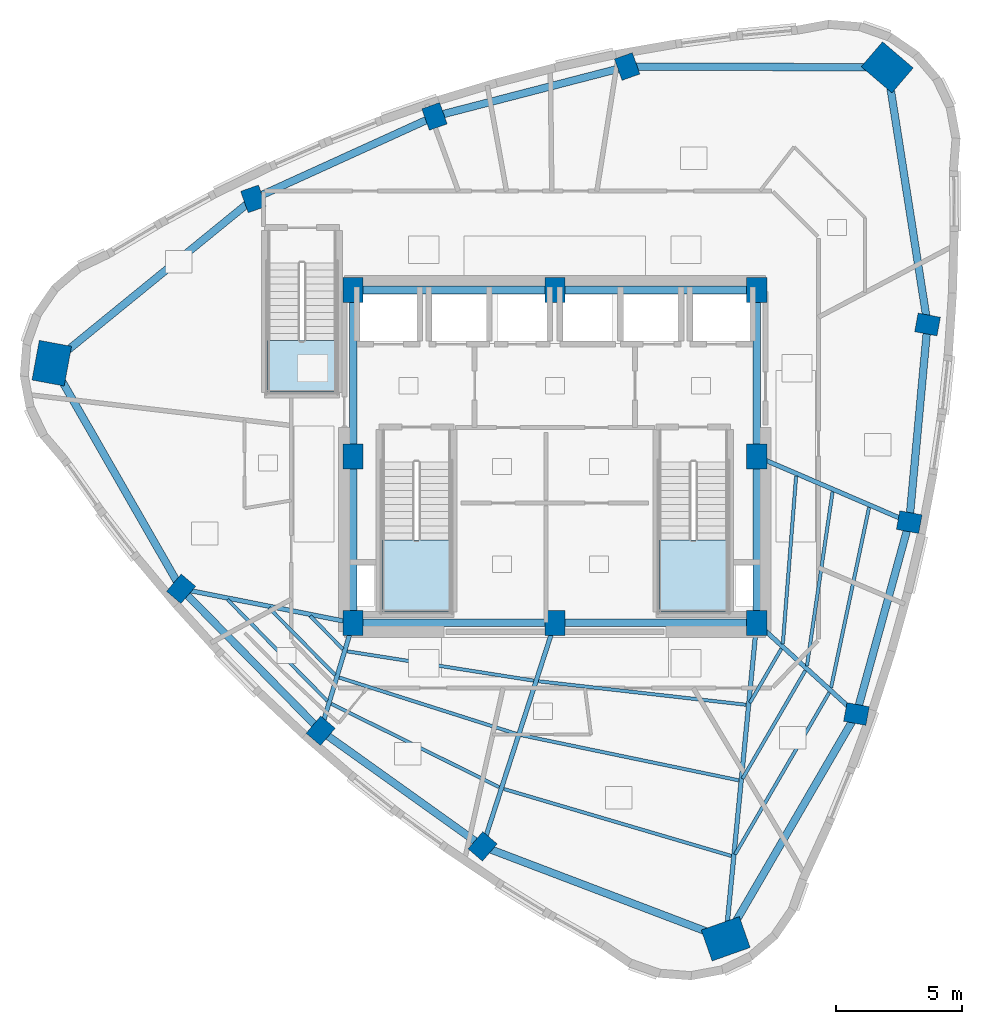
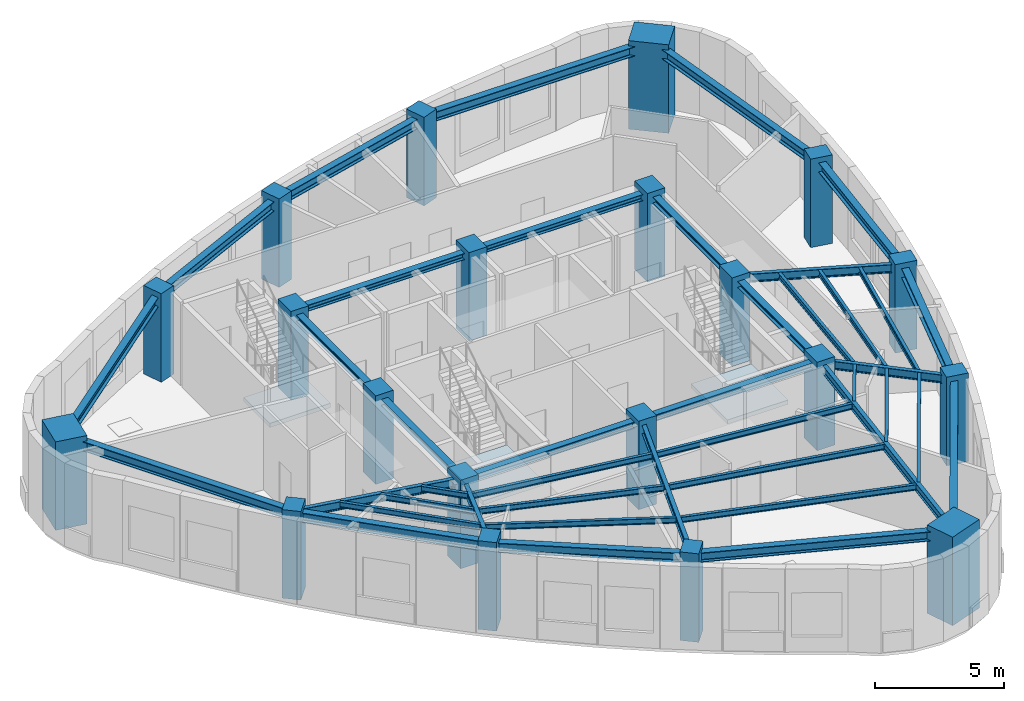
# One storey, part 1 of 9: 41 beams, 20 columns, 3 slabs, 3 elements without a shape of their own.
"""IFC4 building model written with IfcOpenShell, lengths in metres."""

from ifc_helpers import new_model, si_unit, direction, frame, origin, origin_2d, place, context, subcontext, project, spatial, polyline, rectangle, i_section, outline, extrude, material, layer, layer_set, material_profile, profile_set, type_object, element, aggregate, save


model = new_model("IFC4")

# Units and contexts
model_context = context("Model", 3, precision=1e-05, world=origin(), true_north=direction((0.0, 1.0)))
body_context = subcontext(model_context, "Body", "Model", "MODEL_VIEW")
ifc_project = project(units=[si_unit("LENGTHUNIT", "METRE"), si_unit("AREAUNIT", "SQUARE_METRE"), si_unit("VOLUMEUNIT", "CUBIC_METRE"), si_unit("PLANEANGLEUNIT", "RADIAN"), si_unit("MASSUNIT", "GRAM", prefix="KILO")], contexts=[model_context])

# Site, building, storey
site_placement = place(None, origin())
site = spatial("IfcSite", under=ifc_project, at=site_placement, CompositionType="ELEMENT")
building_placement = place(site_placement, origin())
building = spatial("IfcBuilding", under=site, at=building_placement, Name="Ndelora Gate Hotel", CompositionType="ELEMENT")
storey_placement = place(building_placement, frame((0.0, 0.0, 268.60009765625)))
storey = spatial("IfcBuildingStorey", under=building, at=storey_placement, Name="L67", CompositionType="ELEMENT", Elevation=268.60009765625)

# Columns
ifc_material_1 = material(Name="Concrete C50/60", Category="concrete")
ifc_material_profile_1 = material_profile(ifc_material_1, rectangle(XDim=0.800048828125, YDim=1.0, at=origin_2d()), Name="RC 1000x800")
ifc_profile_set_1 = profile_set([ifc_material_profile_1], Name="Concrete C50/60")
column_type_1 = type_object("IfcColumnType", Name="COL-CC-HI", PredefinedType="COLUMN", material=ifc_profile_set_1)
for number, where, z_axis, x_axis, name in (
    (1, (-8.0, -6.60009765625, 0.0), (0.0, 0.0, 1.0), (1.0, 0.0, 0.0), "L67 Core Column CC1"),
    (2, (0.0, -6.60009765625, 0.0), (0.0, 0.0, 1.0), (1.0, 0.0, 0.0), "L67 Core Column CC2"),
    (3, (8.0, -6.60009765625, 0.0), (0.0, 0.0, 1.0), (1.0, 0.0, 0.0), "L67 Core Column CC3"),
    (4, (8.0, 0.0, 0.0), (0.0, 0.0, 1.0), (1.0, 0.0, 0.0), "L67 Core Column CC4"),
    (5, (8.0, 6.60009765625, 0.0), (0.0, 0.0, 1.0), (1.0, 0.0, 0.0), "L67 Core Column CC5"),
    (6, (0.0, 6.60009765625, 0.0), (0.0, 0.0, 1.0), (1.0, 0.0, 0.0), "L67 Core Column CC6"),
    (7, (-8.0, 6.60009765625, 0.0), (0.0, 0.0, 1.0), (1.0, 0.0, 0.0), "L67 Core Column CC7"),
    (8, (-8.0, 0.0, 0.0), (0.0, 0.0, 1.0), (1.0, 0.0, 0.0), "L67 Core Column CC8"),
):
    element("IfcColumn", number, at=place(storey_placement, frame(where, z_axis=z_axis, x_axis=x_axis)), inside=storey, type_object=column_type_1, Name=name, PredefinedType="COLUMN", context=body_context, shape_type="SweptSolid", body=[
        extrude(rectangle(XDim=0.800048828125, YDim=1.0, at=origin_2d()), origin(), (0.0, 0.0, 1.0), 4.199951171875),
    ])
ifc_material_profile_2 = material_profile(ifc_material_1, rectangle(XDim=1.300048828125, YDim=1.60009765625, at=origin_2d()), Name="RC 1600x1300")
ifc_profile_set_2 = profile_set([ifc_material_profile_2], Name="Concrete C50/60")
column_type_2 = type_object("IfcColumnType", Name="COL-MC-Z4", PredefinedType="COLUMN", material=ifc_profile_set_2)
for number, where, z_axis, x_axis, name in (
    (9, (-19.949951171875, 3.697509765625, 0.0), (0.0, 0.0, 1.0), (-0.983254907564, 0.182235525492, 0.0), "L67 Corner Mega-Column R1"),
    (10, (6.772705078125, -19.1259765625, 0.0), (0.0, 0.0, 1.0), (-0.333806859234, 0.942641491092, 0.0), "L67 Corner Mega-Column R5"),
    (11, (13.177001953125, 15.428466796875, 0.0), (0.0, 0.0, 1.0), (0.64944804833, 0.7604059656, 0.0), "L67 Corner Mega-Column R9"),
):
    element("IfcColumn", number, at=place(storey_placement, frame(where, z_axis=z_axis, x_axis=x_axis)), inside=storey, type_object=column_type_2, Name=name, PredefinedType="COLUMN", context=body_context, shape_type="SweptSolid", body=[
        extrude(rectangle(XDim=1.300048828125, YDim=1.60009765625, at=origin_2d()), origin(), (0.0, 0.0, 1.0), 4.199951171875),
    ])
ifc_material_profile_3 = material_profile(ifc_material_1, rectangle(XDim=0.75, YDim=0.89990234375, at=origin_2d()), Name="RC 900x750")
ifc_profile_set_3 = profile_set([ifc_material_profile_3], Name="Concrete C50/60")
column_type_3 = type_object("IfcColumnType", Name="COL-PT-Z4", PredefinedType="COLUMN", material=ifc_profile_set_3)
for number, where, z_axis, x_axis, name in (
    (12, (-14.822509765625, -5.248779296875, 0.0), (0.0, 0.0, 1.0), (-0.7604059656, 0.64944804833, 0.0), "L67 Perimeter Tube Column R2"),
    (13, (-9.2890625, -10.876220703125, 0.0), (0.0, 0.0, 1.0), (-0.7604059656, 0.64944804833, 0.0), "L67 Perimeter Tube Column R3"),
    (14, (-2.865478515625, -15.461181640625, 0.0), (0.0, 0.0, 1.0), (-0.7604059656, 0.64944804833, 0.0), "L67 Perimeter Tube Column R4"),
    (15, (11.956787109375, -10.212158203125, 0.0), (0.0, 0.0, 1.0), (0.182235525492, 0.983254907564, 0.0), "L67 Perimeter Tube Column R6"),
    (16, (14.0498046875, -2.60400390625, 0.0), (0.0, 0.0, 1.0), (0.182235525492, 0.983254907564, 0.0), "L67 Perimeter Tube Column R7"),
    (17, (14.77490234375, 5.232177734375, 0.0), (0.0, 0.0, 1.0), (0.182235525492, 0.983254907564, 0.0), "L67 Perimeter Tube Column R8"),
    (18, (2.865478515625, 15.461181640625, 0.0), (0.0, 0.0, 1.0), (0.942641491092, 0.333806859234, 0.0), "L67 Perimeter Tube Column R10"),
    (19, (-4.7744140625, 13.482666015625, 0.0), (0.0, 0.0, 1.0), (0.942641491092, 0.333806859234, 0.0), "L67 Perimeter Tube Column R11"),
    (20, (-11.956787109375, 10.212158203125, 0.0), (0.0, 0.0, 1.0), (0.942641491092, 0.333806859234, 0.0), "L67 Perimeter Tube Column R12"),
):
    element("IfcColumn", number, at=place(storey_placement, frame(where, z_axis=z_axis, x_axis=x_axis)), inside=storey, type_object=column_type_3, Name=name, PredefinedType="COLUMN", context=body_context, shape_type="SweptSolid", body=[
        extrude(rectangle(XDim=0.75, YDim=0.89990234375, at=origin_2d()), origin(), (0.0, 0.0, 1.0), 4.199951171875),
    ])

# Beams
ifc_material_2 = material(Name="Steel S355", Category="steel")
ifc_material_profile_4 = material_profile(ifc_material_2, i_section(OverallWidth=0.300048828125, OverallDepth=0.300048828125, WebThickness=0.010986328125, FlangeThickness=0.01904296875, FilletRadius=0.027099609375, at=origin_2d()), Name="HEB 300")
ifc_profile_set_4 = profile_set([ifc_material_profile_4], Name="Steel S355")
beam_type_1 = type_object("IfcBeamType", Name="BM-CORE-300", PredefinedType="BEAM", material=ifc_profile_set_4)
for number, where, z_axis, x_axis, name in (
    (21, (-8.0, 6.60009765625, 3.7998046875), (1.0, 0.0, 0.0), (0.0, 1.0, 0.0), "L67 Core Tie Girder CC7-CC6"),
    (22, (0.0, 6.60009765625, 3.7998046875), (1.0, 0.0, 0.0), (0.0, 1.0, 0.0), "L67 Core Tie Girder CC6-CC5"),
):
    element("IfcBeam", number, at=place(storey_placement, frame(where, z_axis=z_axis, x_axis=x_axis)), inside=storey, type_object=beam_type_1, Name=name, PredefinedType="BEAM", context=body_context, shape_type="SweptSolid", body=[
        extrude(i_section(OverallWidth=0.300048828125, OverallDepth=0.300048828125, WebThickness=0.010986328125, FlangeThickness=0.01904296875, FilletRadius=0.027099609375, at=origin_2d()), origin(), (0.0, 0.0, 1.0), 8.0),
    ])
for number, where, z_axis, x_axis, name in (
    (23, (-8.0, -6.60009765625, 3.7998046875), (0.0, 1.0, 0.0), (-1.0, 0.0, 0.0), "L67 Core Tie Girder CC1-CC8"),
    (24, (-8.0, 0.0, 3.7998046875), (0.0, 1.0, 0.0), (-1.0, 0.0, 0.0), "L67 Core Tie Girder CC8-CC7"),
    (25, (8.0, -6.60009765625, 3.7998046875), (0.0, 1.0, 0.0), (-1.0, 0.0, 0.0), "L67 Core Tie Girder CC3-CC4"),
    (26, (8.0, 0.0, 3.7998046875), (0.0, 1.0, 0.0), (-1.0, 0.0, 0.0), "L67 Core Tie Girder CC4-CC5"),
):
    element("IfcBeam", number, at=place(storey_placement, frame(where, z_axis=z_axis, x_axis=x_axis)), inside=storey, type_object=beam_type_1, Name=name, PredefinedType="BEAM", context=body_context, shape_type="SweptSolid", body=[
        extrude(i_section(OverallWidth=0.300048828125, OverallDepth=0.300048828125, WebThickness=0.010986328125, FlangeThickness=0.01904296875, FilletRadius=0.027099609375, at=origin_2d()), origin(), (0.0, 0.0, 1.0), 6.60009765625),
    ])
for number, where, z_axis, x_axis, name in (
    (27, (-8.0, -6.60009765625, 3.7998046875), (1.0, 0.0, 0.0), (0.0, 1.0, 0.0), "L67 Core Tie Girder CC1-CC2"),
    (28, (0.0, -6.60009765625, 3.7998046875), (1.0, 0.0, 0.0), (0.0, 1.0, 0.0), "L67 Core Tie Girder CC2-CC3"),
):
    element("IfcBeam", number, at=place(storey_placement, frame(where, z_axis=z_axis, x_axis=x_axis)), inside=storey, type_object=beam_type_1, Name=name, PredefinedType="BEAM", context=body_context, shape_type="SweptSolid", body=[
        extrude(i_section(OverallWidth=0.300048828125, OverallDepth=0.300048828125, WebThickness=0.010986328125, FlangeThickness=0.01904296875, FilletRadius=0.027099609375, at=origin_2d()), origin(), (0.0, 0.0, 1.0), 8.0),
    ])
ifc_material_profile_5 = material_profile(ifc_material_2, i_section(OverallWidth=0.135009765625, OverallDepth=0.27001953125, WebThickness=0.006591796875, FlangeThickness=0.01025390625, FilletRadius=0.014892578125, at=origin_2d()), Name="IPE 270")
ifc_profile_set_5 = profile_set([ifc_material_profile_5], Name="Steel S355")
beam_type_2 = type_object("IfcBeamType", Name="BM-JST-270", PredefinedType="JOIST", material=ifc_profile_set_5)
beam_1_placement = place(storey_placement, frame((-9.70361328125, -6.320068359375, 3.81494140625), z_axis=(0.701148889104, -0.713014891365, 0.0), x_axis=(0.713014891365, 0.701148889104, 0.0)))
element("IfcBeam", 29, at=beam_1_placement, inside=storey, type_object=beam_type_2, Name="L67 Secondary Composite Floor Joist IN-2", PredefinedType="JOIST", context=body_context, shape_type="SweptSolid", body=[
    extrude(i_section(OverallWidth=0.135009765625, OverallDepth=0.27001953125, WebThickness=0.006591796875, FlangeThickness=0.01025390625, FilletRadius=0.014892578125, at=origin_2d()), origin(), (0.0, 0.0, 1.0), 1.851806640625),
])
beam_2_placement = place(storey_placement, frame((-11.341064453125, -5.995849609375, 3.81494140625), z_axis=(0.701150996754, -0.713012818785, 0.0), x_axis=(0.713012818785, 0.701150996754, 0.0)))
element("IfcBeam", 30, at=beam_2_placement, inside=storey, type_object=beam_type_2, Name="L67 Secondary Composite Floor Joist MID-2", PredefinedType="JOIST", context=body_context, shape_type="SweptSolid", body=[
    extrude(i_section(OverallWidth=0.135009765625, OverallDepth=0.27001953125, WebThickness=0.006591796875, FlangeThickness=0.01025390625, FilletRadius=0.014892578125, at=origin_2d()), origin(), (0.0, 0.0, 1.0), 3.745849609375),
])
beam_3_placement = place(storey_placement, frame((-12.978515625, -5.67138671875, 3.81494140625), z_axis=(0.701130048955, -0.713033417486, 0.0), x_axis=(0.713033417486, 0.701130048955, 0.0)))
element("IfcBeam", 31, at=beam_3_placement, inside=storey, type_object=beam_type_2, Name="L67 Secondary Composite Floor Joist OUT-2", PredefinedType="JOIST", context=body_context, shape_type="SweptSolid", body=[
    extrude(i_section(OverallWidth=0.135009765625, OverallDepth=0.27001953125, WebThickness=0.006591796875, FlangeThickness=0.01025390625, FilletRadius=0.014892578125, at=origin_2d()), origin(), (0.0, 0.0, 1.0), 5.640380859375),
])
beam_4_placement = place(storey_placement, frame((-8.236328125, -7.727294921875, 3.81494140625), z_axis=(0.987888558734, -0.155165058961, 0.0), x_axis=(0.155165058961, 0.987888558734, 0.0)))
element("IfcBeam", 32, at=beam_4_placement, inside=storey, type_object=beam_type_2, Name="L67 Secondary Composite Floor Joist IN-3", PredefinedType="JOIST", context=body_context, shape_type="SweptSolid", body=[
    extrude(i_section(OverallWidth=0.135009765625, OverallDepth=0.27001953125, WebThickness=0.006591796875, FlangeThickness=0.01025390625, FilletRadius=0.014892578125, at=origin_2d()), origin(), (0.0, 0.0, 1.0), 7.483154296875),
])
beam_5_placement = place(storey_placement, frame((-8.54931640625, -8.768310546875, 3.81494140625), z_axis=(0.95300799864, -0.302945134517, 0.0), x_axis=(0.302945134517, 0.95300799864, 0.0)))
element("IfcBeam", 33, at=beam_5_placement, inside=storey, type_object=beam_type_2, Name="L67 Secondary Composite Floor Joist MID-3", PredefinedType="JOIST", context=body_context, shape_type="SweptSolid", body=[
    extrude(i_section(OverallWidth=0.135009765625, OverallDepth=0.27001953125, WebThickness=0.006591796875, FlangeThickness=0.01025390625, FilletRadius=0.014892578125, at=origin_2d()), origin(), (0.0, 0.0, 1.0), 7.367431640625),
])
beam_6_placement = place(storey_placement, frame((-8.864501953125, -9.808837890625, 3.81494140625), z_axis=(0.895678939113, -0.444701290788, 0.0), x_axis=(0.444701290788, 0.895678939113, 0.0)))
element("IfcBeam", 34, at=beam_6_placement, inside=storey, type_object=beam_type_2, Name="L67 Secondary Composite Floor Joist OUT-3", PredefinedType="JOIST", context=body_context, shape_type="SweptSolid", body=[
    extrude(i_section(OverallWidth=0.135009765625, OverallDepth=0.27001953125, WebThickness=0.006591796875, FlangeThickness=0.01025390625, FilletRadius=0.014892578125, at=origin_2d()), origin(), (0.0, 0.0, 1.0), 7.4296875),
])
beam_7_placement = place(storey_placement, frame((-0.645751953125, -8.9150390625, 3.81494140625), z_axis=(0.993666082795, -0.112373110227, 0.0), x_axis=(0.112373110227, 0.993666082795, 0.0)))
element("IfcBeam", 35, at=beam_7_placement, inside=storey, type_object=beam_type_2, Name="L67 Secondary Composite Floor Joist IN-4", PredefinedType="JOIST", context=body_context, shape_type="SweptSolid", body=[
    extrude(i_section(OverallWidth=0.135009765625, OverallDepth=0.27001953125, WebThickness=0.006591796875, FlangeThickness=0.01025390625, FilletRadius=0.014892578125, at=origin_2d()), origin(), (0.0, 0.0, 1.0), 8.27978515625),
])
beam_8_placement = place(storey_placement, frame((-1.334716796875, -11.05078125, 3.81494140625), z_axis=(0.979088439748, -0.203435068637, 0.0), x_axis=(0.203435068637, 0.979088439748, 0.0)))
element("IfcBeam", 36, at=beam_8_placement, inside=storey, type_object=beam_type_2, Name="L67 Secondary Composite Floor Joist MID-4", PredefinedType="JOIST", context=body_context, shape_type="SweptSolid", body=[
    extrude(i_section(OverallWidth=0.135009765625, OverallDepth=0.27001953125, WebThickness=0.006591796875, FlangeThickness=0.01025390625, FilletRadius=0.014892578125, at=origin_2d()), origin(), (0.0, 0.0, 1.0), 8.807373046875),
])
beam_9_placement = place(storey_placement, frame((-2.0244140625, -13.185546875, 3.81494140625), z_axis=(0.959300565601, -0.282387012517, 0.0), x_axis=(0.282387012517, 0.959300565601, 0.0)))
element("IfcBeam", 37, at=beam_9_placement, inside=storey, type_object=beam_type_2, Name="L67 Secondary Composite Floor Joist OUT-4", PredefinedType="JOIST", context=body_context, shape_type="SweptSolid", body=[
    extrude(i_section(OverallWidth=0.135009765625, OverallDepth=0.27001953125, WebThickness=0.006591796875, FlangeThickness=0.01025390625, FilletRadius=0.014892578125, at=origin_2d()), origin(), (0.0, 0.0, 1.0), 9.403076171875),
])
beam_10_placement = place(storey_placement, frame((7.731201171875, -9.770263671875, 3.81494140625), z_axis=(0.502726490322, 0.864445530921, 0.0), x_axis=(-0.864445530921, 0.502726490322, 0.0)))
element("IfcBeam", 38, at=beam_10_placement, inside=storey, type_object=beam_type_2, Name="L67 Secondary Composite Floor Joist IN-5", PredefinedType="JOIST", context=body_context, shape_type="SweptSolid", body=[
    extrude(i_section(OverallWidth=0.135009765625, OverallDepth=0.27001953125, WebThickness=0.006591796875, FlangeThickness=0.01025390625, FilletRadius=0.014892578125, at=origin_2d()), origin(), (0.0, 0.0, 1.0), 2.481201171875),
])
beam_11_placement = place(storey_placement, frame((7.436767578125, -12.776611328125, 3.81494140625), z_axis=(0.50271891842, 0.864449934388, 0.0), x_axis=(-0.864449934388, 0.50271891842, 0.0)))
element("IfcBeam", 39, at=beam_11_placement, inside=storey, type_object=beam_type_2, Name="L67 Secondary Composite Floor Joist MID-5", PredefinedType="JOIST", context=body_context, shape_type="SweptSolid", body=[
    extrude(i_section(OverallWidth=0.135009765625, OverallDepth=0.27001953125, WebThickness=0.006591796875, FlangeThickness=0.01025390625, FilletRadius=0.014892578125, at=origin_2d()), origin(), (0.0, 0.0, 1.0), 4.9560546875),
])
beam_12_placement = place(storey_placement, frame((7.14208984375, -15.78271484375, 3.81494140625), z_axis=(0.502744947519, 0.864434796699, 0.0), x_axis=(-0.864434796699, 0.502744947519, 0.0)))
element("IfcBeam", 40, at=beam_12_placement, inside=storey, type_object=beam_type_2, Name="L67 Secondary Composite Floor Joist OUT-5", PredefinedType="JOIST", context=body_context, shape_type="SweptSolid", body=[
    extrude(i_section(OverallWidth=0.135009765625, OverallDepth=0.27001953125, WebThickness=0.006591796875, FlangeThickness=0.01025390625, FilletRadius=0.014892578125, at=origin_2d()), origin(), (0.0, 0.0, 1.0), 7.430419921875),
])
beam_13_placement = place(storey_placement, frame((9.03662109375, -7.439453125, 3.81494140625), z_axis=(0.079081730742, 0.996868135644, 0.0), x_axis=(-0.996868135644, 0.079081730742, 0.0)))
element("IfcBeam", 41, at=beam_13_placement, inside=storey, type_object=beam_type_2, Name="L67 Secondary Composite Floor Joist IN-6", PredefinedType="JOIST", context=body_context, shape_type="SweptSolid", body=[
    extrude(i_section(OverallWidth=0.135009765625, OverallDepth=0.27001953125, WebThickness=0.006591796875, FlangeThickness=0.01025390625, FilletRadius=0.014892578125, at=origin_2d()), origin(), (0.0, 0.0, 1.0), 6.683837890625),
])
beam_14_placement = place(storey_placement, frame((9.992919921875, -8.30712890625, 3.81494140625), z_axis=(0.145767847032, 0.989318823621, 0.0), x_axis=(-0.989318823621, 0.145767847032, 0.0)))
element("IfcBeam", 42, at=beam_14_placement, inside=storey, type_object=beam_type_2, Name="L67 Secondary Composite Floor Joist MID-6", PredefinedType="JOIST", context=body_context, shape_type="SweptSolid", body=[
    extrude(i_section(OverallWidth=0.135009765625, OverallDepth=0.27001953125, WebThickness=0.006591796875, FlangeThickness=0.01025390625, FilletRadius=0.014892578125, at=origin_2d()), origin(), (0.0, 0.0, 1.0), 6.980712890625),
])
beam_15_placement = place(storey_placement, frame((10.94873046875, -9.17529296875, 3.81494140625), z_axis=(0.206301761085, 0.978488417598, 0.0), x_axis=(-0.978488417598, 0.206301761085, 0.0)))
element("IfcBeam", 43, at=beam_15_placement, inside=storey, type_object=beam_type_2, Name="L67 Secondary Composite Floor Joist OUT-6", PredefinedType="JOIST", context=body_context, shape_type="SweptSolid", body=[
    extrude(i_section(OverallWidth=0.135009765625, OverallDepth=0.27001953125, WebThickness=0.006591796875, FlangeThickness=0.01025390625, FilletRadius=0.014892578125, at=origin_2d()), origin(), (0.0, 0.0, 1.0), 7.3076171875),
])
ifc_material_profile_6 = material_profile(ifc_material_2, i_section(OverallWidth=0.179931640625, OverallDepth=0.39990234375, WebThickness=0.008544921875, FlangeThickness=0.013427734375, FilletRadius=0.02099609375, at=origin_2d()), Name="IPE 400")
ifc_profile_set_6 = profile_set([ifc_material_profile_6], Name="Steel S355")
beam_type_3 = type_object("IfcBeamType", Name="BM-RAD-400", PredefinedType="BEAM", material=ifc_profile_set_6)
beam_16_placement = place(storey_placement, frame((-8.0, -6.60009765625, 3.75), z_axis=(-0.980943509294, 0.194293158846, 0.0), x_axis=(-0.194293158846, -0.980943509294, 0.0)))
element("IfcBeam", 44, at=beam_16_placement, inside=storey, type_object=beam_type_3, Name="L67 Radial Floor Girder 2", PredefinedType="BEAM", context=body_context, shape_type="SweptSolid", body=[
    extrude(i_section(OverallWidth=0.179931640625, OverallDepth=0.39990234375, WebThickness=0.008544921875, FlangeThickness=0.013427734375, FilletRadius=0.02099609375, at=origin_2d()), origin(), (0.0, 0.0, 1.0), 6.955078125),
])
beam_17_placement = place(storey_placement, frame((-8.0, -6.60009765625, 3.75), z_axis=(-0.288626468578, -0.957441779763, 0.0), x_axis=(0.957441779763, -0.288626468578, 0.0)))
element("IfcBeam", 45, at=beam_17_placement, inside=storey, type_object=beam_type_3, Name="L67 Radial Floor Girder 3", PredefinedType="BEAM", context=body_context, shape_type="SweptSolid", body=[
    extrude(i_section(OverallWidth=0.179931640625, OverallDepth=0.39990234375, WebThickness=0.008544921875, FlangeThickness=0.013427734375, FilletRadius=0.02099609375, at=origin_2d()), origin(), (0.0, 0.0, 1.0), 4.46630859375),
])
beam_18_placement = place(storey_placement, frame((0.0, -6.60009765625, 3.75), z_axis=(-0.307689759964, -0.951486737487, 0.0), x_axis=(0.951486737487, -0.307689759964, 0.0)))
element("IfcBeam", 46, at=beam_18_placement, inside=storey, type_object=beam_type_3, Name="L67 Radial Floor Girder 4", PredefinedType="BEAM", context=body_context, shape_type="SweptSolid", body=[
    extrude(i_section(OverallWidth=0.179931640625, OverallDepth=0.39990234375, WebThickness=0.008544921875, FlangeThickness=0.013427734375, FilletRadius=0.02099609375, at=origin_2d()), origin(), (0.0, 0.0, 1.0), 9.31298828125),
])
beam_19_placement = place(storey_placement, frame((8.0, -6.60009765625, 3.75), z_axis=(-0.097513783863, -0.995234174432, 0.0), x_axis=(0.995234174432, -0.097513783863, 0.0)))
element("IfcBeam", 47, at=beam_19_placement, inside=storey, type_object=beam_type_3, Name="L67 Radial Floor Girder 5", PredefinedType="BEAM", context=body_context, shape_type="SweptSolid", body=[
    extrude(i_section(OverallWidth=0.179931640625, OverallDepth=0.39990234375, WebThickness=0.008544921875, FlangeThickness=0.013427734375, FilletRadius=0.02099609375, at=origin_2d()), origin(), (0.0, 0.0, 1.0), 12.5859375),
])
beam_20_placement = place(storey_placement, frame((8.0, -6.60009765625, 3.75), z_axis=(0.73854665752, -0.674202369223, 0.0), x_axis=(0.674202369223, 0.73854665752, 0.0)))
element("IfcBeam", 48, at=beam_20_placement, inside=storey, type_object=beam_type_3, Name="L67 Radial Floor Girder 6", PredefinedType="BEAM", context=body_context, shape_type="SweptSolid", body=[
    extrude(i_section(OverallWidth=0.179931640625, OverallDepth=0.39990234375, WebThickness=0.008544921875, FlangeThickness=0.013427734375, FilletRadius=0.02099609375, at=origin_2d()), origin(), (0.0, 0.0, 1.0), 5.357421875),
])
beam_21_placement = place(storey_placement, frame((8.0, 0.0, 3.75), z_axis=(0.918526539717, -0.395359324964, 0.0), x_axis=(0.395359324964, 0.918526539717, 0.0)))
element("IfcBeam", 49, at=beam_21_placement, inside=storey, type_object=beam_type_3, Name="L67 Radial Floor Girder 7", PredefinedType="BEAM", context=body_context, shape_type="SweptSolid", body=[
    extrude(i_section(OverallWidth=0.179931640625, OverallDepth=0.39990234375, WebThickness=0.008544921875, FlangeThickness=0.013427734375, FilletRadius=0.02099609375, at=origin_2d()), origin(), (0.0, 0.0, 1.0), 6.58642578125),
])
ifc_material_profile_7 = material_profile(ifc_material_2, i_section(OverallWidth=0.300048828125, OverallDepth=0.449951171875, WebThickness=0.013916015625, FlangeThickness=0.02587890625, FilletRadius=0.027099609375, at=origin_2d()), Name="HEB 450")
ifc_profile_set_7 = profile_set([ifc_material_profile_7], Name="Steel S355")
beam_type_4 = type_object("IfcBeamType", Name="BM-RING-450", PredefinedType="SPANDREL", material=ifc_profile_set_7)
beam_22_placement = place(storey_placement, frame((-19.949951171875, 3.697509765625, 3.724853515625), z_axis=(0.497255333538, -0.867604249222, 0.0), x_axis=(0.867604249222, 0.497255333538, 0.0)))
element("IfcBeam", 50, at=beam_22_placement, inside=storey, type_object=beam_type_4, Name="L67 Perimeter Spandrel Girder 1", PredefinedType="SPANDREL", context=body_context, shape_type="SweptSolid", body=[
    extrude(i_section(OverallWidth=0.300048828125, OverallDepth=0.449951171875, WebThickness=0.013916015625, FlangeThickness=0.02587890625, FilletRadius=0.027099609375, at=origin_2d()), origin(), (0.0, 0.0, 1.0), 10.3115234375),
])
beam_23_placement = place(storey_placement, frame((-14.822509765625, -5.248779296875, 3.724853515625), z_axis=(0.701126845775, -0.713036567179, 0.0), x_axis=(0.713036567179, 0.701126845775, 0.0)))
element("IfcBeam", 51, at=beam_23_placement, inside=storey, type_object=beam_type_4, Name="L67 Perimeter Spandrel Girder 2", PredefinedType="SPANDREL", context=body_context, shape_type="SweptSolid", body=[
    extrude(i_section(OverallWidth=0.300048828125, OverallDepth=0.449951171875, WebThickness=0.013916015625, FlangeThickness=0.02587890625, FilletRadius=0.027099609375, at=origin_2d()), origin(), (0.0, 0.0, 1.0), 7.892333984375),
])
beam_24_placement = place(storey_placement, frame((-9.2890625, -10.876220703125, 3.724853515625), z_axis=(0.813931993272, -0.580960162428, 0.0), x_axis=(0.580960162428, 0.813931993272, 0.0)))
element("IfcBeam", 52, at=beam_24_placement, inside=storey, type_object=beam_type_4, Name="L67 Perimeter Spandrel Girder 3", PredefinedType="SPANDREL", context=body_context, shape_type="SweptSolid", body=[
    extrude(i_section(OverallWidth=0.300048828125, OverallDepth=0.449951171875, WebThickness=0.013916015625, FlangeThickness=0.02587890625, FilletRadius=0.027099609375, at=origin_2d()), origin(), (0.0, 0.0, 1.0), 7.89208984375),
])
beam_25_placement = place(storey_placement, frame((-2.865478515625, -15.461181640625, 3.724853515625), z_axis=(0.934709973152, -0.355411403997, 0.0), x_axis=(0.355411403997, 0.934709973152, 0.0)))
element("IfcBeam", 53, at=beam_25_placement, inside=storey, type_object=beam_type_4, Name="L67 Perimeter Spandrel Girder 4", PredefinedType="SPANDREL", context=body_context, shape_type="SweptSolid", body=[
    extrude(i_section(OverallWidth=0.300048828125, OverallDepth=0.449951171875, WebThickness=0.013916015625, FlangeThickness=0.02587890625, FilletRadius=0.027099609375, at=origin_2d()), origin(), (0.0, 0.0, 1.0), 10.3115234375),
])
beam_26_placement = place(storey_placement, frame((6.772705078125, -19.1259765625, 3.724853515625), z_axis=(0.502738555714, 0.864438514065, 0.0), x_axis=(-0.864438514065, 0.502738555714, 0.0)))
element("IfcBeam", 54, at=beam_26_placement, inside=storey, type_object=beam_type_4, Name="L67 Perimeter Spandrel Girder 5", PredefinedType="SPANDREL", context=body_context, shape_type="SweptSolid", body=[
    extrude(i_section(OverallWidth=0.300048828125, OverallDepth=0.449951171875, WebThickness=0.013916015625, FlangeThickness=0.02587890625, FilletRadius=0.027099609375, at=origin_2d()), origin(), (0.0, 0.0, 1.0), 10.311767578125),
])
beam_27_placement = place(storey_placement, frame((11.956787109375, -10.212158203125, 3.724853515625), z_axis=(0.265247809385, 0.964180273401, 0.0), x_axis=(-0.964180273401, 0.265247809385, 0.0)))
element("IfcBeam", 55, at=beam_27_placement, inside=storey, type_object=beam_type_4, Name="L67 Perimeter Spandrel Girder 6", PredefinedType="SPANDREL", context=body_context, shape_type="SweptSolid", body=[
    extrude(i_section(OverallWidth=0.300048828125, OverallDepth=0.449951171875, WebThickness=0.013916015625, FlangeThickness=0.02587890625, FilletRadius=0.027099609375, at=origin_2d()), origin(), (0.0, 0.0, 1.0), 7.890869140625),
])
beam_28_placement = place(storey_placement, frame((14.0498046875, -2.60400390625, 3.724853515625), z_axis=(0.092138400608, 0.995746210203, 0.0), x_axis=(-0.995746210203, 0.092138400608, 0.0)))
element("IfcBeam", 56, at=beam_28_placement, inside=storey, type_object=beam_type_4, Name="L67 Perimeter Spandrel Girder 7", PredefinedType="SPANDREL", context=body_context, shape_type="SweptSolid", body=[
    extrude(i_section(OverallWidth=0.300048828125, OverallDepth=0.449951171875, WebThickness=0.013916015625, FlangeThickness=0.02587890625, FilletRadius=0.027099609375, at=origin_2d()), origin(), (0.0, 0.0, 1.0), 7.86962890625),
])
beam_29_placement = place(storey_placement, frame((14.77490234375, 5.232177734375, 3.724853515625), z_axis=(-0.154824264006, 0.987942026272, 0.0), x_axis=(-0.987942026272, -0.154824264006, 0.0)))
element("IfcBeam", 57, at=beam_29_placement, inside=storey, type_object=beam_type_4, Name="L67 Perimeter Spandrel Girder 8", PredefinedType="SPANDREL", context=body_context, shape_type="SweptSolid", body=[
    extrude(i_section(OverallWidth=0.300048828125, OverallDepth=0.449951171875, WebThickness=0.013916015625, FlangeThickness=0.02587890625, FilletRadius=0.027099609375, at=origin_2d()), origin(), (0.0, 0.0, 1.0), 10.32080078125),
])
beam_30_placement = place(storey_placement, frame((13.177001953125, 15.428466796875, 3.724853515625), z_axis=(-0.999994967187, 0.003172632958, 0.0), x_axis=(-0.003172632958, -0.999994967187, 0.0)))
element("IfcBeam", 58, at=beam_30_placement, inside=storey, type_object=beam_type_4, Name="L67 Perimeter Spandrel Girder 9", PredefinedType="SPANDREL", context=body_context, shape_type="SweptSolid", body=[
    extrude(i_section(OverallWidth=0.300048828125, OverallDepth=0.449951171875, WebThickness=0.013916015625, FlangeThickness=0.02587890625, FilletRadius=0.027099609375, at=origin_2d()), origin(), (0.0, 0.0, 1.0), 10.3115234375),
])
for number, where, z_axis, x_axis, name in (
    (59, (2.865478515625, 15.461181640625, 3.724853515625), (-0.968064499617, -0.250701265615, 0.0), (0.250701265615, -0.968064499617, 0.0), "L67 Perimeter Spandrel Girder 10"),
    (60, (-4.7744140625, 13.482666015625, 3.724853515625), (-0.910089762217, -0.414411178309, 0.0), (0.414411178309, -0.910089762217, 0.0), "L67 Perimeter Spandrel Girder 11"),
):
    element("IfcBeam", number, at=place(storey_placement, frame(where, z_axis=z_axis, x_axis=x_axis)), inside=storey, type_object=beam_type_4, Name=name, PredefinedType="SPANDREL", context=body_context, shape_type="SweptSolid", body=[
        extrude(i_section(OverallWidth=0.300048828125, OverallDepth=0.449951171875, WebThickness=0.013916015625, FlangeThickness=0.02587890625, FilletRadius=0.027099609375, at=origin_2d()), origin(), (0.0, 0.0, 1.0), 7.891845703125),
    ])
beam_31_placement = place(storey_placement, frame((-11.956787109375, 10.212158203125, 3.724853515625), z_axis=(-0.775154250258, -0.631772022416, 0.0), x_axis=(0.631772022416, -0.775154250258, 0.0)))
element("IfcBeam", 61, at=beam_31_placement, inside=storey, type_object=beam_type_4, Name="L67 Perimeter Spandrel Girder 12", PredefinedType="SPANDREL", context=body_context, shape_type="SweptSolid", body=[
    extrude(i_section(OverallWidth=0.300048828125, OverallDepth=0.449951171875, WebThickness=0.013916015625, FlangeThickness=0.02587890625, FilletRadius=0.027099609375, at=origin_2d()), origin(), (0.0, 0.0, 1.0), 10.311767578125),
])

# Stair, slab
ifc_material_3 = material(Name="Precast concrete C40/50", Category="concrete")
stair_type = type_object("IfcStairType", Name="STR-DOG-CORE", PredefinedType="HALF_TURN_STAIR", material=ifc_material_3)
stair_1_placement = place(storey_placement, origin())
stair_1 = element("IfcStair", 62, at=stair_1_placement, inside=storey, type_object=stair_type, Name="L67 Protected Core Exit Stair ST4", PredefinedType="HALF_TURN_STAIR")
ifc_layer = layer(ifc_material_3, 0.219970703125)
ifc_layer_set = layer_set([ifc_layer], Name="Precast concrete C40/50")
slab_type = type_object("IfcSlabType", Name="SL-LAND-220", PredefinedType="LANDING", material=ifc_layer_set)
slab_1_placement = place(storey_placement, frame((0.0, 0.0, 1.89990234375)))
slab_1 = element("IfcSlab", 63, at=slab_1_placement, type_object=slab_type, Name="ST4 landing 1", PredefinedType="LANDING", context=body_context, shape_type="SweptSolid", body=[
    extrude(outline(polyline([(-6.85009765625, -3.31005859375), (-6.85009765625, -6.14990234375), (-4.1298828125, -6.14990234375), (-4.1298828125, -3.31005859375), (-6.85009765625, -3.31005859375)])), origin(), (0.0, 0.0, 1.0), 0.199951171875),
])
aggregate(stair_1, [slab_1])

stair_2_placement = place(storey_placement, origin())
stair_2 = element("IfcStair", 64, at=stair_2_placement, inside=storey, type_object=stair_type, Name="L67 Protected Core Exit Stair ST5", PredefinedType="HALF_TURN_STAIR")
slab_2_placement = place(storey_placement, frame((0.0, 0.0, 1.89990234375)))
slab_2 = element("IfcSlab", 65, at=slab_2_placement, type_object=slab_type, Name="ST5 landing 1", PredefinedType="LANDING", context=body_context, shape_type="SweptSolid", body=[
    extrude(outline(polyline([(4.1298828125, -3.31005859375), (4.1298828125, -6.14990234375), (6.85009765625, -6.14990234375), (6.85009765625, -3.31005859375), (4.1298828125, -3.31005859375)])), origin(), (0.0, 0.0, 1.0), 0.199951171875),
])
aggregate(stair_2, [slab_2])

stair_3_placement = place(storey_placement, origin())
stair_3 = element("IfcStair", 66, at=stair_3_placement, inside=storey, type_object=stair_type, Name="L67 Crown Observation Exit Stair ST6", PredefinedType="HALF_TURN_STAIR")
slab_3_placement = place(storey_placement, frame((0.0, 0.0, 1.89990234375)))
slab_3 = element("IfcSlab", 67, at=slab_3_placement, type_object=slab_type, Name="ST6 landing 1", PredefinedType="LANDING", context=body_context, shape_type="SweptSolid", body=[
    extrude(outline(polyline([(-11.389892578125, 4.590087890625), (-11.389892578125, 2.550048828125), (-8.669921875, 2.550048828125), (-8.669921875, 4.590087890625), (-11.389892578125, 4.590087890625)])), origin(), (0.0, 0.0, 1.0), 0.199951171875),
])
aggregate(stair_3, [slab_3])

save(model, "model.ifc")
